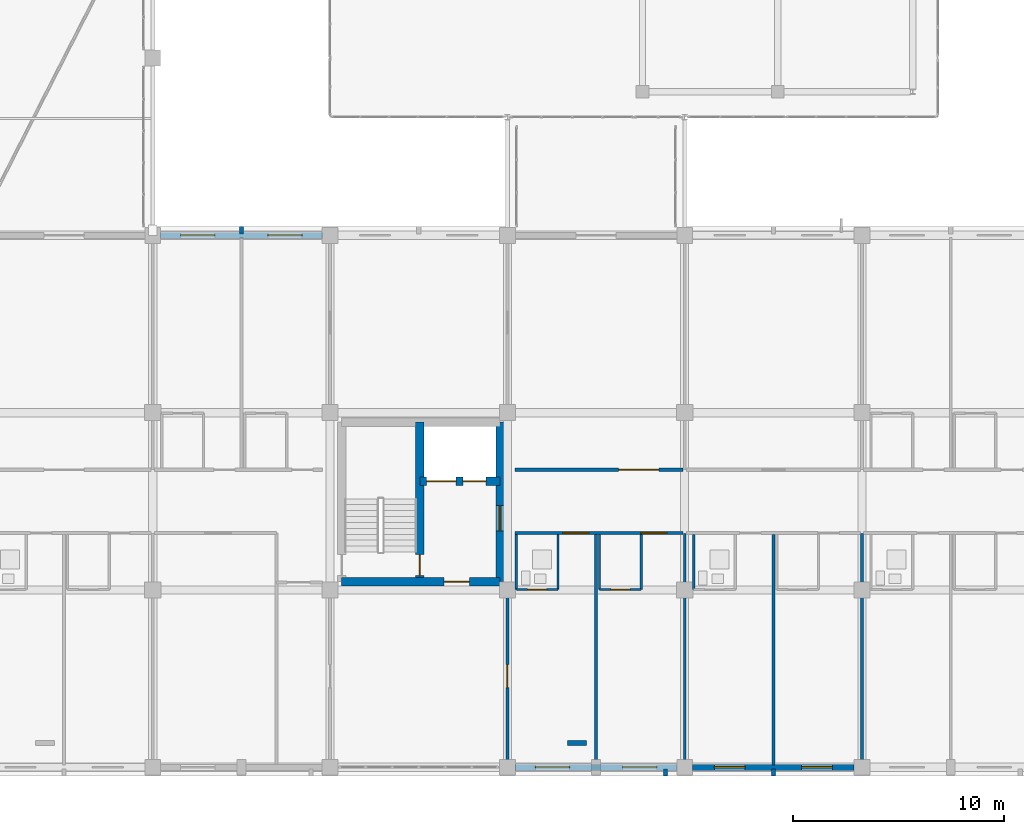
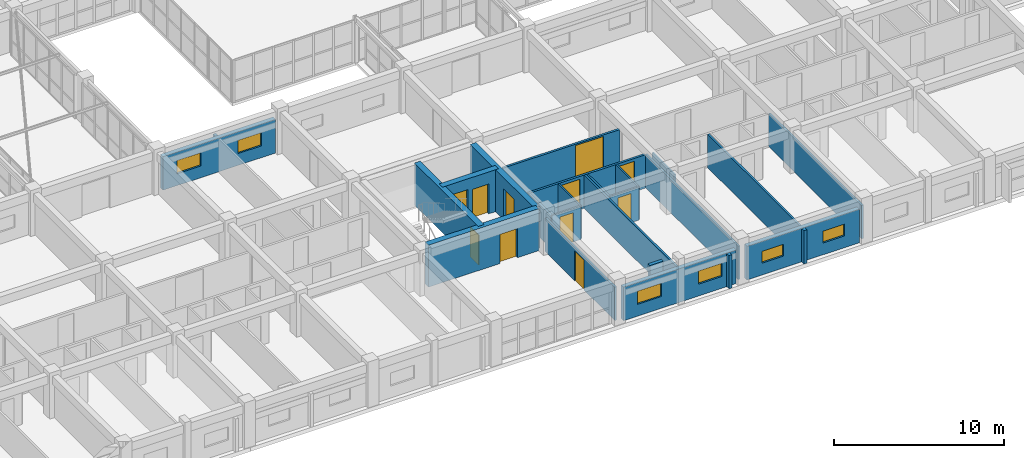
# One storey, part 169 of 200: 25 walls, 11 doors, 6 windows, 17 openings.
"""IFC4 building model written with IfcOpenShell, lengths in metres."""

from ifc_helpers import new_model, si_unit, direction, frame, frame_2d, origin, place, context, subcontext, project, spatial, rectangle, extrude, material, layer, layer_set, type_object, element, fill, save


model = new_model("IFC4")

# Units and contexts
model_context = context("Model", 3, precision=1e-05, world=origin(), true_north=direction((0.0, 1.0)))
body_context = subcontext(model_context, "Body", "Model", "MODEL_VIEW")
ifc_project = project(units=[si_unit("LENGTHUNIT", "METRE"), si_unit("AREAUNIT", "SQUARE_METRE"), si_unit("VOLUMEUNIT", "CUBIC_METRE"), si_unit("PLANEANGLEUNIT", "RADIAN"), si_unit("MASSUNIT", "GRAM", prefix="KILO")], contexts=[model_context])

# Site, building, storey
site_placement = place(None, origin())
site = spatial("IfcSite", under=ifc_project, at=site_placement, CompositionType="ELEMENT")
building_placement = place(site_placement, origin())
building = spatial("IfcBuilding", under=site, at=building_placement, Name="Trelvath General Hospital", CompositionType="ELEMENT")
storey_placement = place(building_placement, frame((0.0, 0.0, 4.800048828125)))
storey = spatial("IfcBuildingStorey", under=building, at=storey_placement, Name="L01", CompositionType="ELEMENT", Elevation=4.800048828125)

# Walls
ifc_material_1 = material(Name="Precast concrete C40/50", Category="concrete")
ifc_layer_1 = layer(ifc_material_1, 0.199951171875)
ifc_layer_set_1 = layer_set([ifc_layer_1], Name="Precast concrete C40/50")
wall_type_1 = type_object("IfcWallType", Name="BriseSoleilRib 200", PredefinedType="ELEMENTEDWALL", material=ifc_layer_set_1)
for number, where, z_axis, x_axis, name in (
    (1, (88.199951171875, 25.27490234375, 0.0), (0.0, 0.0, 1.0), (0.0, 1.0, 0.0), "Precast Concrete Brise-Soleil Rib Fin L01-112"),
    (2, (108.293701171875, -0.074951171875, 0.0), (0.0, 0.0, 1.0), (0.0, -1.0, 0.0), "Precast Concrete Brise-Soleil Rib Fin L01-117"),
    (3, (113.39990234375, -0.074951171875, 0.0), (0.0, 0.0, 1.0), (0.0, -1.0, 0.0), "Precast Concrete Brise-Soleil Rib Fin L01-119"),
):
    element("IfcWall", number, at=place(storey_placement, frame(where, z_axis=z_axis, x_axis=x_axis)), inside=storey, type_object=wall_type_1, Name=name, PredefinedType="ELEMENTEDWALL", context=body_context, shape_type="SweptSolid", body=[
        extrude(rectangle(XDim=0.340087890625, YDim=0.199951171875, at=frame_2d((0.169921875, 0.0))), origin(), (0.0, 0.0, 1.0), 2.39990234375),
    ])

# Wall, openings, doors
ifc_material_2 = material(Name="Gypsum acoustic steel-stud partition", Category="steel")
ifc_layer_2 = layer(ifc_material_2, 0.14990234375)
ifc_layer_set_2 = layer_set([ifc_layer_2], Name="Gypsum acoustic steel-stud partition")
wall_type_2 = type_object("IfcWallType", Name="ClinicalPartition 150", PredefinedType="PARTITIONING", material=ifc_layer_set_2)
wall_1_placement = place(storey_placement, frame((101.159912109375, 11.10009765625, 0.0), z_axis=(0.0, 0.0, 1.0), x_axis=(1.0, 0.0, 0.0)))
wall_1 = element("IfcWall", 4, at=wall_1_placement, inside=storey, type_object=wall_type_2, Name="Corridor Partition L01-457", PredefinedType="PARTITIONING", context=body_context, shape_type="SweptSolid", body=[
    extrude(rectangle(XDim=7.960205078125, YDim=0.14990234375, at=frame_2d((3.97998046875, 0.0))), origin(), (0.0, 0.0, 1.0), 2.39990234375),
])
opening_1_placement = place(wall_1_placement, frame((2.25, 0.0, 0.0)))
opening_1 = element("IfcOpeningElement", 5, at=opening_1_placement, cuts=wall_1, Name="Opening D-1-0514", PredefinedType="OPENING", context=body_context, shape_type="SweptSolid", body=[
    extrude(rectangle(XDim=1.25, YDim=2.199951171875, at=frame_2d((0.625, 1.10009765625))), frame((0.0, 0.0849609375, 0.0), z_axis=(0.0, -1.0, 0.0), x_axis=(1.0, 0.0, 0.0)), (0.0, 0.0, 1.0), 0.169921875),
])
opening_2_placement = place(wall_1_placement, frame((5.949951171875, 0.0, 0.0)))
opening_2 = element("IfcOpeningElement", 6, at=opening_2_placement, cuts=wall_1, Name="Opening D-1-0515", PredefinedType="OPENING", context=body_context, shape_type="SweptSolid", body=[
    extrude(rectangle(XDim=1.25, YDim=2.199951171875, at=frame_2d((0.625, 1.10009765625))), frame((0.0, 0.0849609375, 0.0), z_axis=(0.0, -1.0, 0.0), x_axis=(1.0, 0.0, 0.0)), (0.0, 0.0, 1.0), 0.169921875),
])
ifc_material_3 = material(Name="Acoustic hospital timber leaf", Category="wood")
door_type_1 = type_object("IfcDoorType", Name="Door Treatment 1250x2200", OperationType="NOTDEFINED", PredefinedType="DOOR", material=ifc_material_3)
door_1_placement = place(opening_1_placement, origin())
door_1 = element("IfcDoor", 7, at=door_1_placement, inside=storey, type_object=door_type_1, Name="Patient Room Door L01-514", OperationType="SINGLE_SWING_LEFT", OverallHeight=2.199951171875, OverallWidth=1.25, PredefinedType="DOOR", context=body_context, shape_type="SweptSolid", body=[
    extrude(rectangle(XDim=1.25, YDim=2.199951171875, at=frame_2d((0.625, 1.10009765625))), frame((0.0, 0.02490234375, 0.0), z_axis=(0.0, -1.0, 0.0), x_axis=(1.0, 0.0, 0.0)), (0.0, 0.0, 1.0), 0.050048828125),
])
fill(opening_1, door_1)
door_2_placement = place(opening_2_placement, origin())
door_2 = element("IfcDoor", 8, at=door_2_placement, inside=storey, type_object=door_type_1, Name="Patient Room Door L01-515", OperationType="SINGLE_SWING_RIGHT", OverallHeight=2.199951171875, OverallWidth=1.25, PredefinedType="DOOR", context=body_context, shape_type="SweptSolid", body=[
    extrude(rectangle(XDim=1.25, YDim=2.199951171875, at=frame_2d((0.625, 1.10009765625))), frame((0.0, 0.02490234375, 0.0), z_axis=(0.0, -1.0, 0.0), x_axis=(1.0, 0.0, 0.0)), (0.0, 0.0, 1.0), 0.050048828125),
])
fill(opening_2, door_2)

# Wall, opening, door
wall_2_placement = place(storey_placement, frame((109.1201171875, 14.10009765625, 0.0), z_axis=(0.0, 0.0, 1.0), x_axis=(-1.0, 0.0, 0.0)))
wall_2 = element("IfcWall", 9, at=wall_2_placement, inside=storey, type_object=wall_type_2, Name="Corridor Partition N L01-466", PredefinedType="PARTITIONING", context=body_context, shape_type="SweptSolid", body=[
    extrude(rectangle(XDim=7.960205078125, YDim=0.14990234375, at=frame_2d((3.97998046875, 0.0))), origin(), (0.0, 0.0, 1.0), 2.39990234375),
])
opening_3_placement = place(wall_2_placement, frame((1.14990234375, 0.0, 0.0)))
opening_3 = element("IfcOpeningElement", 10, at=opening_3_placement, cuts=wall_2, Name="Opening D-1-0518", PredefinedType="OPENING", context=body_context, shape_type="SweptSolid", body=[
    extrude(rectangle(XDim=1.89990234375, YDim=2.300048828125, at=frame_2d((0.949951171875, 1.14990234375))), frame((0.0, 0.0849609375, 0.0), z_axis=(0.0, -1.0, 0.0), x_axis=(1.0, 0.0, 0.0)), (0.0, 0.0, 1.0), 0.169921875),
])
ifc_material_4 = material(Name="Thermally broken glazed aluminium pair", Category="aluminium")
door_type_2 = type_object("IfcDoorType", Name="Door BridgeEntry 1900x2400", OperationType="DOUBLE_SWING_LEFT", PredefinedType="DOOR", material=ifc_material_4)
door_3_placement = place(opening_3_placement, origin())
door_3 = element("IfcDoor", 11, at=door_3_placement, inside=storey, type_object=door_type_2, Name="Bridge Lounge Corridor Door N L01-518", OperationType="DOUBLE_SWING_LEFT", OverallHeight=2.300048828125, OverallWidth=1.89990234375, PredefinedType="DOOR", context=body_context, shape_type="SweptSolid", body=[
    extrude(rectangle(XDim=1.89990234375, YDim=2.300048828125, at=frame_2d((0.949951171875, 1.14990234375))), frame((0.0, 0.02490234375, 0.0), z_axis=(0.0, -1.0, 0.0), x_axis=(1.0, 0.0, 0.0)), (0.0, 0.0, 1.0), 0.050048828125),
])
fill(opening_3, door_3)

ifc_material_5 = material(Name="Concrete C40/50", Category="concrete")
ifc_layer_3 = layer(ifc_material_5, 0.39990234375)
ifc_layer_set_3 = layer_set([ifc_layer_3], Name="Concrete C40/50")
wall_type_3 = type_object("IfcWallType", Name="CoreShearWall 400", PredefinedType="SHEAR", material=ifc_layer_set_3)
wall_3_placement = place(storey_placement, frame((92.949951171875, 8.800048828125, 0.0), z_axis=(0.0, 0.0, 1.0), x_axis=(1.0, 0.0, 0.0)))
wall_3 = element("IfcWall", 12, at=wall_3_placement, inside=storey, type_object=wall_type_3, Name="Core Shear Wall C5 S L01", PredefinedType="SHEAR", context=body_context, shape_type="SweptSolid", body=[
    extrude(rectangle(XDim=7.5, YDim=0.39990234375, at=frame_2d((3.75, 0.0))), origin(), (0.0, 0.0, 1.0), 3.02001953125),
])
opening_4_placement = place(wall_3_placement, frame((4.85009765625, 0.0, 0.0)))
opening_4 = element("IfcOpeningElement", 13, at=opening_4_placement, cuts=wall_3, Name="Opening FD-LS51", PredefinedType="OPENING", context=body_context, shape_type="SweptSolid", body=[
    extrude(rectangle(XDim=1.199951171875, YDim=2.10009765625, at=frame_2d((0.60009765625, 1.050048828125))), frame((0.0, 0.2099609375, 0.0), z_axis=(0.0, -1.0, 0.0), x_axis=(1.0, 0.0, 0.0)), (0.0, 0.0, 1.0), 0.419921875),
])
ifc_material_6 = material(Name="Fire-rated steel door", Category="steel")
door_type_3 = type_object("IfcDoorType", Name="Door FireLobby 1200x2100", OperationType="NOTDEFINED", PredefinedType="DOOR", material=ifc_material_6)
door_4_placement = place(opening_4_placement, origin())
door_4 = element("IfcDoor", 14, at=door_4_placement, inside=storey, type_object=door_type_3, Name="Fire Lobby South Door C5 L01", OperationType="SINGLE_SWING_LEFT", OverallHeight=2.10009765625, OverallWidth=1.199951171875, PredefinedType="DOOR", context=body_context, shape_type="SweptSolid", body=[
    extrude(rectangle(XDim=1.199951171875, YDim=2.10009765625, at=frame_2d((0.60009765625, 1.050048828125))), frame((0.0, 0.02490234375, 0.0), z_axis=(0.0, -1.0, 0.0), x_axis=(1.0, 0.0, 0.0)), (0.0, 0.0, 1.0), 0.050048828125),
])
fill(opening_4, door_4)

wall_4_placement = place(storey_placement, frame((100.449951171875, 8.800048828125, 0.0), z_axis=(0.0, 0.0, 1.0), x_axis=(0.0, 1.0, 0.0)))
wall_4 = element("IfcWall", 15, at=wall_4_placement, inside=storey, type_object=wall_type_3, Name="Core Shear Wall C5 E L01", PredefinedType="SHEAR", context=body_context, shape_type="SweptSolid", body=[
    extrude(rectangle(XDim=7.550048828125, YDim=0.39990234375, at=frame_2d((3.77490234375, 0.0))), origin(), (0.0, 0.0, 1.0), 3.02001953125),
])
opening_5_placement = place(wall_4_placement, frame((2.39990234375, 0.0, 0.0)))
opening_5 = element("IfcOpeningElement", 16, at=opening_5_placement, cuts=wall_4, Name="Opening FD-LE51", PredefinedType="OPENING", context=body_context, shape_type="SweptSolid", body=[
    extrude(rectangle(XDim=1.199951171875, YDim=2.199951171875, at=frame_2d((0.60009765625, 1.10009765625))), frame((0.0, 0.2099609375, 0.0), z_axis=(0.0, -1.0, 0.0), x_axis=(1.0, 0.0, 0.0)), (0.0, 0.0, 1.0), 0.419921875),
])
ifc_material_7 = material(Name="Fire-rated steel door", Category="steel")
door_type_4 = type_object("IfcDoorType", Name="Door FireLobby 1200x2200", OperationType="NOTDEFINED", PredefinedType="DOOR", material=ifc_material_7)
door_5_placement = place(opening_5_placement, origin())
door_5 = element("IfcDoor", 17, at=door_5_placement, inside=storey, type_object=door_type_4, Name="Fire Lobby East Corridor Door C5 L01", OperationType="SINGLE_SWING_RIGHT", OverallHeight=2.199951171875, OverallWidth=1.199951171875, PredefinedType="DOOR", context=body_context, shape_type="SweptSolid", body=[
    extrude(rectangle(XDim=1.199951171875, YDim=2.199951171875, at=frame_2d((0.60009765625, 1.10009765625))), frame((0.0, 0.02490234375, 0.0), z_axis=(0.0, -1.0, 0.0), x_axis=(1.0, 0.0, 0.0)), (0.0, 0.0, 1.0), 0.050048828125),
])
fill(opening_5, door_5)

wall_5_placement = place(storey_placement, frame((96.64990234375, 8.800048828125, 0.0), z_axis=(0.0, 0.0, 1.0), x_axis=(0.0, 1.0, 0.0)))
wall_5 = element("IfcWall", 18, at=wall_5_placement, inside=storey, type_object=wall_type_3, Name="Core Shear Wall C5 SPINE L01", PredefinedType="SHEAR", context=body_context, shape_type="SweptSolid", body=[
    extrude(rectangle(XDim=7.550048828125, YDim=0.39990234375, at=frame_2d((3.77490234375, 0.0))), origin(), (0.0, 0.0, 1.0), 3.02001953125),
])
opening_6_placement = place(wall_5_placement, frame((0.280029296875, 0.0, 0.0)))
opening_6 = element("IfcOpeningElement", 19, at=opening_6_placement, cuts=wall_5, Name="Opening FD-S51", PredefinedType="OPENING", context=body_context, shape_type="SweptSolid", body=[
    extrude(rectangle(XDim=1.0, YDim=2.14990234375, at=frame_2d((0.5, 1.074951171875))), frame((0.0, 0.2099609375, 0.0), z_axis=(0.0, -1.0, 0.0), x_axis=(1.0, 0.0, 0.0)), (0.0, 0.0, 1.0), 0.419921875),
])
ifc_material_8 = material(Name="Fire-rated steel door", Category="steel")
door_type_5 = type_object("IfcDoorType", Name="Door FireStair 1100x2150", OperationType="NOTDEFINED", PredefinedType="DOOR", material=ifc_material_8)
door_6_placement = place(opening_6_placement, origin())
door_6 = element("IfcDoor", 20, at=door_6_placement, inside=storey, type_object=door_type_5, Name="Exit Stair Door ST5 L01", OperationType="SINGLE_SWING_LEFT", OverallHeight=2.14990234375, OverallWidth=1.0, PredefinedType="DOOR", context=body_context, shape_type="SweptSolid", body=[
    extrude(rectangle(XDim=1.0, YDim=2.14990234375, at=frame_2d((0.5, 1.074951171875))), frame((0.0, 0.02490234375, 0.0), z_axis=(0.0, -1.0, 0.0), x_axis=(1.0, 0.0, 0.0)), (0.0, 0.0, 1.0), 0.050048828125),
])
fill(opening_6, door_6)

# Wall, openings, doors
wall_6_placement = place(storey_placement, frame((96.64990234375, 13.550048828125, 0.0), z_axis=(0.0, 0.0, 1.0), x_axis=(1.0, 0.0, 0.0)))
wall_6 = element("IfcWall", 21, at=wall_6_placement, inside=storey, type_object=wall_type_3, Name="Core Shear Wall C5 SHAFT L01", PredefinedType="SHEAR", context=body_context, shape_type="SweptSolid", body=[
    extrude(rectangle(XDim=3.800048828125, YDim=0.39990234375, at=frame_2d((1.89990234375, 0.0))), origin(), (0.0, 0.0, 1.0), 3.02001953125),
])
opening_7_placement = place(wall_6_placement, frame((0.320068359375, 0.0, 0.0)))
opening_7 = element("IfcOpeningElement", 22, at=opening_7_placement, cuts=wall_6, Name="Opening LD-BD4-1", PredefinedType="OPENING", context=body_context, shape_type="SweptSolid", body=[
    extrude(rectangle(XDim=1.39990234375, YDim=2.25, at=frame_2d((0.699951171875, 1.125))), frame((0.0, 0.2099609375, 0.0), z_axis=(0.0, -1.0, 0.0), x_axis=(1.0, 0.0, 0.0)), (0.0, 0.0, 1.0), 0.419921875),
])
opening_8_placement = place(wall_6_placement, frame((2.0400390625, 0.0, 0.0)))
opening_8 = element("IfcOpeningElement", 23, at=opening_8_placement, cuts=wall_6, Name="Opening LD-PA2-1", PredefinedType="OPENING", context=body_context, shape_type="SweptSolid", body=[
    extrude(rectangle(XDim=1.10009765625, YDim=2.14990234375, at=frame_2d((0.550048828125, 1.074951171875))), frame((0.0, 0.2099609375, 0.0), z_axis=(0.0, -1.0, 0.0), x_axis=(1.0, 0.0, 0.0)), (0.0, 0.0, 1.0), 0.419921875),
])
ifc_material_9 = material(Name="Stainless steel stretcher lift landing door", Category="steel")
door_type_6 = type_object("IfcDoorType", Name="Door LiftBed 1400x2250", OperationType="SLIDING_TO_LEFT", PredefinedType="DOOR", material=ifc_material_9)
door_7_placement = place(opening_7_placement, origin())
door_7 = element("IfcDoor", 24, at=door_7_placement, inside=storey, type_object=door_type_6, Name="Lift Landing Sliding Door LF-BD4 L01", OperationType="SLIDING_TO_LEFT", OverallHeight=2.25, OverallWidth=1.39990234375, PredefinedType="DOOR", context=body_context, shape_type="SweptSolid", body=[
    extrude(rectangle(XDim=1.39990234375, YDim=2.25, at=frame_2d((0.699951171875, 1.125))), frame((0.0, 0.02490234375, 0.0), z_axis=(0.0, -1.0, 0.0), x_axis=(1.0, 0.0, 0.0)), (0.0, 0.0, 1.0), 0.050048828125),
])
fill(opening_7, door_7)
ifc_material_10 = material(Name="Stainless steel lift landing sliding door", Category="steel")
door_type_7 = type_object("IfcDoorType", Name="Door LiftLanding 1100x2150", OperationType="SLIDING_TO_LEFT", PredefinedType="DOOR", material=ifc_material_10)
door_8_placement = place(opening_8_placement, origin())
door_8 = element("IfcDoor", 25, at=door_8_placement, inside=storey, type_object=door_type_7, Name="Lift Landing Sliding Door LF-PA2 L01", OperationType="SLIDING_TO_LEFT", OverallHeight=2.14990234375, OverallWidth=1.10009765625, PredefinedType="DOOR", context=body_context, shape_type="SweptSolid", body=[
    extrude(rectangle(XDim=1.10009765625, YDim=2.14990234375, at=frame_2d((0.550048828125, 1.074951171875))), frame((0.0, 0.02490234375, 0.0), z_axis=(0.0, -1.0, 0.0), x_axis=(1.0, 0.0, 0.0)), (0.0, 0.0, 1.0), 0.050048828125),
])
fill(opening_8, door_8)

# Walls
ifc_material_11 = material(Name="Moisture-resistant tile partition")
ifc_layer_4 = layer(ifc_material_11, 0.110107421875)
ifc_layer_set_4 = layer_set([ifc_layer_4], Name="Moisture-resistant tile partition")
wall_type_4 = type_object("IfcWallType", Name="EnSuiteWetWall 110", PredefinedType="PARTITIONING", material=ifc_layer_set_4)
for number, where, z_axis, x_axis, name in (
    (26, (101.219970703125, 8.419921875, 0.0), (0.0, 0.0, 1.0), (0.0, 1.0, 0.0), "En-Suite W Wall L01-459"),
    (27, (103.199951171875, 8.419921875, 0.0), (0.0, 0.0, 1.0), (0.0, 1.0, 0.0), "En-Suite E Wall L01-460"),
):
    element("IfcWall", number, at=place(storey_placement, frame(where, z_axis=z_axis, x_axis=x_axis)), inside=storey, type_object=wall_type_4, Name=name, PredefinedType="PARTITIONING", context=body_context, shape_type="SweptSolid", body=[
        extrude(rectangle(XDim=2.610107421875, YDim=0.110107421875, at=frame_2d((1.30517578125, 0.0))), origin(), (0.0, 0.0, 1.0), 2.39990234375),
    ])

# Wall, opening, door
wall_7_placement = place(storey_placement, frame((101.219970703125, 8.419921875, 0.0), z_axis=(0.0, 0.0, 1.0), x_axis=(1.0, 0.0, 0.0)))
wall_7 = element("IfcWall", 28, at=wall_7_placement, inside=storey, type_object=wall_type_4, Name="En-Suite Bathroom Partition L01-461", PredefinedType="PARTITIONING", context=body_context, shape_type="SweptSolid", body=[
    extrude(rectangle(XDim=1.97998046875, YDim=0.110107421875, at=frame_2d((0.989990234375, 0.0))), origin(), (0.0, 0.0, 1.0), 2.39990234375),
])
opening_9_placement = place(wall_7_placement, frame((0.5400390625, 0.0, 0.0)))
opening_9 = element("IfcOpeningElement", 29, at=opening_9_placement, cuts=wall_7, Name="Opening D-1-0516", PredefinedType="OPENING", context=body_context, shape_type="SweptSolid", body=[
    extrude(rectangle(XDim=0.89990234375, YDim=2.10009765625, at=frame_2d((0.449951171875, 1.050048828125))), frame((0.0, 0.06494140625, 0.0), z_axis=(0.0, -1.0, 0.0), x_axis=(1.0, 0.0, 0.0)), (0.0, 0.0, 1.0), 0.130126953125),
])
ifc_material_12 = material(Name="Moisture-sealed timber leaf", Category="wood")
door_type_8 = type_object("IfcDoorType", Name="Door EnSuite 900x2100", OperationType="NOTDEFINED", PredefinedType="DOOR", material=ifc_material_12)
door_9_placement = place(opening_9_placement, origin())
door_9 = element("IfcDoor", 30, at=door_9_placement, inside=storey, type_object=door_type_8, Name="En-Suite Bathroom Door L01-516", OperationType="SINGLE_SWING_LEFT", OverallHeight=2.10009765625, OverallWidth=0.89990234375, PredefinedType="DOOR", context=body_context, shape_type="SweptSolid", body=[
    extrude(rectangle(XDim=0.89990234375, YDim=2.10009765625, at=frame_2d((0.449951171875, 1.050048828125))), frame((0.0, 0.02490234375, 0.0), z_axis=(0.0, -1.0, 0.0), x_axis=(1.0, 0.0, 0.0)), (0.0, 0.0, 1.0), 0.050048828125),
])
fill(opening_9, door_9)

# Walls
for number, where, z_axis, x_axis, name in (
    (31, (105.159912109375, 8.419921875, 0.0), (0.0, 0.0, 1.0), (0.0, 1.0, 0.0), "En-Suite W Wall L01-462"),
    (32, (107.139892578125, 8.419921875, 0.0), (0.0, 0.0, 1.0), (0.0, 1.0, 0.0), "En-Suite E Wall L01-463"),
):
    element("IfcWall", number, at=place(storey_placement, frame(where, z_axis=z_axis, x_axis=x_axis)), inside=storey, type_object=wall_type_4, Name=name, PredefinedType="PARTITIONING", context=body_context, shape_type="SweptSolid", body=[
        extrude(rectangle(XDim=2.610107421875, YDim=0.110107421875, at=frame_2d((1.30517578125, 0.0))), origin(), (0.0, 0.0, 1.0), 2.39990234375),
    ])

# Wall, opening, door
wall_8_placement = place(storey_placement, frame((105.159912109375, 8.419921875, 0.0), z_axis=(0.0, 0.0, 1.0), x_axis=(1.0, 0.0, 0.0)))
wall_8 = element("IfcWall", 33, at=wall_8_placement, inside=storey, type_object=wall_type_4, Name="En-Suite Bathroom Partition L01-464", PredefinedType="PARTITIONING", context=body_context, shape_type="SweptSolid", body=[
    extrude(rectangle(XDim=1.97998046875, YDim=0.110107421875, at=frame_2d((0.989990234375, 0.0))), origin(), (0.0, 0.0, 1.0), 2.39990234375),
])
opening_10_placement = place(wall_8_placement, frame((0.5400390625, 0.0, 0.0)))
opening_10 = element("IfcOpeningElement", 34, at=opening_10_placement, cuts=wall_8, Name="Opening D-1-0517", PredefinedType="OPENING", context=body_context, shape_type="SweptSolid", body=[
    extrude(rectangle(XDim=0.89990234375, YDim=2.10009765625, at=frame_2d((0.449951171875, 1.050048828125))), frame((0.0, 0.06494140625, 0.0), z_axis=(0.0, -1.0, 0.0), x_axis=(1.0, 0.0, 0.0)), (0.0, 0.0, 1.0), 0.130126953125),
])
door_10_placement = place(opening_10_placement, origin())
door_10 = element("IfcDoor", 35, at=door_10_placement, inside=storey, type_object=door_type_8, Name="En-Suite Bathroom Door L01-517", OperationType="SINGLE_SWING_RIGHT", OverallHeight=2.10009765625, OverallWidth=0.89990234375, PredefinedType="DOOR", context=body_context, shape_type="SweptSolid", body=[
    extrude(rectangle(XDim=0.89990234375, YDim=2.10009765625, at=frame_2d((0.449951171875, 1.050048828125))), frame((0.0, 0.02490234375, 0.0), z_axis=(0.0, -1.0, 0.0), x_axis=(1.0, 0.0, 0.0)), (0.0, 0.0, 1.0), 0.050048828125),
])
fill(opening_10, door_10)

# Wall
wall_9_placement = place(storey_placement, frame((109.6201171875, 8.419921875, 0.0), z_axis=(0.0, 0.0, 1.0), x_axis=(0.0, 1.0, 0.0)))
element("IfcWall", 36, at=wall_9_placement, inside=storey, type_object=wall_type_4, Name="En-Suite W Wall L01-471", PredefinedType="PARTITIONING", context=body_context, shape_type="SweptSolid", body=[
    extrude(rectangle(XDim=2.610107421875, YDim=0.110107421875, at=frame_2d((1.30517578125, 0.0))), origin(), (0.0, 0.0, 1.0), 2.39990234375),
])

# Wall, openings, windows
ifc_material_13 = material(Name="Concrete C35/45", Category="concrete")
ifc_layer_5 = layer(ifc_material_13, 0.2900390625)
ifc_layer_set_5 = layer_set([ifc_layer_5], Name="Concrete C35/45")
wall_type_5 = type_object("IfcWallType", Name="ExtBushHammeredWall 290", PredefinedType="SOLIDWALL", material=ifc_layer_set_5)
wall_10_placement = place(storey_placement, frame((84.3701171875, 25.199951171875, 0.0), z_axis=(0.0, 0.0, 1.0), x_axis=(1.0, 0.0, 0.0)))
wall_10 = element("IfcWall", 37, at=wall_10_placement, inside=storey, type_object=wall_type_5, Name="Exterior Concrete Wall L01-164", PredefinedType="SOLIDWALL", context=body_context, shape_type="SweptSolid", body=[
    extrude(rectangle(XDim=7.659912109375, YDim=0.2900390625, at=frame_2d((3.830078125, 0.0))), origin(), (0.0, 0.0, 1.0), 2.419921875),
])
opening_11_placement = place(wall_10_placement, frame((0.951904296875, 0.0, 0.85009765625)))
opening_11 = element("IfcOpeningElement", 38, at=opening_11_placement, cuts=wall_10, Name="Opening WN-1-239", PredefinedType="OPENING", context=body_context, shape_type="SweptSolid", body=[
    extrude(rectangle(XDim=1.6201171875, YDim=0.949951171875, at=frame_2d((0.81005859375, 0.47509765625))), frame((0.0, 0.155029296875, 0.0), z_axis=(0.0, -1.0, 0.0), x_axis=(1.0, 0.0, 0.0)), (0.0, 0.0, 1.0), 0.31005859375),
])
opening_12_placement = place(wall_10_placement, frame((5.088134765625, 0.0, 0.85009765625)))
opening_12 = element("IfcOpeningElement", 39, at=opening_12_placement, cuts=wall_10, Name="Opening WN-1-240", PredefinedType="OPENING", context=body_context, shape_type="SweptSolid", body=[
    extrude(rectangle(XDim=1.6201171875, YDim=0.949951171875, at=frame_2d((0.81005859375, 0.47509765625))), frame((0.0, 0.155029296875, 0.0), z_axis=(0.0, -1.0, 0.0), x_axis=(1.0, 0.0, 0.0)), (0.0, 0.0, 1.0), 0.31005859375),
])
ifc_material_14 = material(Name="Low-E laminated glass", Category="glass")
window_type_1 = type_object("IfcWindowType", Name="Window EmergencyClere 1620x950", PartitioningType="DOUBLE_PANEL_VERTICAL", PredefinedType="WINDOW", material=ifc_material_14)
window_1_placement = place(opening_11_placement, origin())
window_1 = element("IfcWindow", 40, at=window_1_placement, inside=storey, type_object=window_type_1, Name="Solar Reveal Window L01-239", OverallHeight=0.949951171875, OverallWidth=1.6201171875, PartitioningType="SINGLE_PANEL", PredefinedType="WINDOW", context=body_context, shape_type="SweptSolid", body=[
    extrude(rectangle(XDim=1.6201171875, YDim=0.949951171875, at=frame_2d((0.81005859375, 0.47509765625))), frame((0.0, 0.030029296875, 0.0), z_axis=(0.0, -1.0, 0.0), x_axis=(1.0, 0.0, 0.0)), (0.0, 0.0, 1.0), 0.06005859375),
])
fill(opening_11, window_1)
window_2_placement = place(opening_12_placement, origin())
window_2 = element("IfcWindow", 41, at=window_2_placement, inside=storey, type_object=window_type_1, Name="Solar Reveal Window L01-240", OverallHeight=0.949951171875, OverallWidth=1.6201171875, PartitioningType="SINGLE_PANEL", PredefinedType="WINDOW", context=body_context, shape_type="SweptSolid", body=[
    extrude(rectangle(XDim=1.6201171875, YDim=0.949951171875, at=frame_2d((0.81005859375, 0.47509765625))), frame((0.0, 0.030029296875, 0.0), z_axis=(0.0, -1.0, 0.0), x_axis=(1.0, 0.0, 0.0)), (0.0, 0.0, 1.0), 0.06005859375),
])
fill(opening_12, window_2)

wall_11_placement = place(storey_placement, frame((108.830078125, 0.0, 0.0), z_axis=(0.0, 0.0, 1.0), x_axis=(-1.0, 0.0, 0.0)))
wall_11 = element("IfcWall", 42, at=wall_11_placement, inside=storey, type_object=wall_type_5, Name="Exterior Concrete Wall L01-172", PredefinedType="SOLIDWALL", context=body_context, shape_type="SweptSolid", body=[
    extrude(rectangle(XDim=7.66015625, YDim=0.2900390625, at=frame_2d((3.830078125, 0.0))), origin(), (0.0, 0.0, 1.0), 2.419921875),
])
opening_13_placement = place(wall_11_placement, frame((0.951904296875, 0.0, 0.85009765625)))
opening_13 = element("IfcOpeningElement", 43, at=opening_13_placement, cuts=wall_11, Name="Opening WN-1-249", PredefinedType="OPENING", context=body_context, shape_type="SweptSolid", body=[
    extrude(rectangle(XDim=1.6201171875, YDim=0.949951171875, at=frame_2d((0.81005859375, 0.47509765625))), frame((0.0, 0.155029296875, 0.0), z_axis=(0.0, -1.0, 0.0), x_axis=(1.0, 0.0, 0.0)), (0.0, 0.0, 1.0), 0.31005859375),
])
opening_14_placement = place(wall_11_placement, frame((5.088134765625, 0.0, 0.85009765625)))
opening_14 = element("IfcOpeningElement", 44, at=opening_14_placement, cuts=wall_11, Name="Opening WN-1-250", PredefinedType="OPENING", context=body_context, shape_type="SweptSolid", body=[
    extrude(rectangle(XDim=1.6201171875, YDim=0.949951171875, at=frame_2d((0.81005859375, 0.47509765625))), frame((0.0, 0.155029296875, 0.0), z_axis=(0.0, -1.0, 0.0), x_axis=(1.0, 0.0, 0.0)), (0.0, 0.0, 1.0), 0.31005859375),
])
window_3_placement = place(opening_13_placement, origin())
window_3 = element("IfcWindow", 45, at=window_3_placement, inside=storey, type_object=window_type_1, Name="Solar Reveal Window L01-249", OverallHeight=0.949951171875, OverallWidth=1.6201171875, PartitioningType="SINGLE_PANEL", PredefinedType="WINDOW", context=body_context, shape_type="SweptSolid", body=[
    extrude(rectangle(XDim=1.6201171875, YDim=0.949951171875, at=frame_2d((0.81005859375, 0.47509765625))), frame((0.0, 0.030029296875, 0.0), z_axis=(0.0, -1.0, 0.0), x_axis=(1.0, 0.0, 0.0)), (0.0, 0.0, 1.0), 0.06005859375),
])
fill(opening_13, window_3)
window_4_placement = place(opening_14_placement, origin())
window_4 = element("IfcWindow", 46, at=window_4_placement, inside=storey, type_object=window_type_1, Name="Solar Reveal Window L01-250", OverallHeight=0.949951171875, OverallWidth=1.6201171875, PartitioningType="SINGLE_PANEL", PredefinedType="WINDOW", context=body_context, shape_type="SweptSolid", body=[
    extrude(rectangle(XDim=1.6201171875, YDim=0.949951171875, at=frame_2d((0.81005859375, 0.47509765625))), frame((0.0, 0.030029296875, 0.0), z_axis=(0.0, -1.0, 0.0), x_axis=(1.0, 0.0, 0.0)), (0.0, 0.0, 1.0), 0.06005859375),
])
fill(opening_14, window_4)

wall_12_placement = place(storey_placement, frame((117.22998046875, 0.0, 0.0), z_axis=(0.0, 0.0, 1.0), x_axis=(-1.0, 0.0, 0.0)))
wall_12 = element("IfcWall", 47, at=wall_12_placement, inside=storey, type_object=wall_type_5, Name="Exterior Concrete Wall L01-176", PredefinedType="SOLIDWALL", context=body_context, shape_type="SweptSolid", body=[
    extrude(rectangle(XDim=7.659912109375, YDim=0.2900390625, at=frame_2d((3.830078125, 0.0))), origin(), (0.0, 0.0, 1.0), 2.419921875),
])
opening_15_placement = place(wall_12_placement, frame((1.03173828125, 0.0, 0.85009765625)))
opening_15 = element("IfcOpeningElement", 48, at=opening_15_placement, cuts=wall_12, Name="Opening WN-1-253", PredefinedType="OPENING", context=body_context, shape_type="SweptSolid", body=[
    extrude(rectangle(XDim=1.4599609375, YDim=0.85009765625, at=frame_2d((0.72998046875, 0.425048828125))), frame((0.0, 0.155029296875, 0.0), z_axis=(0.0, -1.0, 0.0), x_axis=(1.0, 0.0, 0.0)), (0.0, 0.0, 1.0), 0.31005859375),
])
opening_16_placement = place(wall_12_placement, frame((5.168212890625, 0.0, 0.85009765625)))
opening_16 = element("IfcOpeningElement", 49, at=opening_16_placement, cuts=wall_12, Name="Opening WN-1-254", PredefinedType="OPENING", context=body_context, shape_type="SweptSolid", body=[
    extrude(rectangle(XDim=1.4599609375, YDim=0.85009765625, at=frame_2d((0.72998046875, 0.425048828125))), frame((0.0, 0.155029296875, 0.0), z_axis=(0.0, -1.0, 0.0), x_axis=(1.0, 0.0, 0.0)), (0.0, 0.0, 1.0), 0.31005859375),
])
ifc_material_15 = material(Name="Low-E laminated glass", Category="glass")
window_type_2 = type_object("IfcWindowType", Name="Window ImagingClere 1460x850", PartitioningType="DOUBLE_PANEL_VERTICAL", PredefinedType="WINDOW", material=ifc_material_15)
window_5_placement = place(opening_15_placement, origin())
window_5 = element("IfcWindow", 50, at=window_5_placement, inside=storey, type_object=window_type_2, Name="Solar Reveal Window L01-253", OverallHeight=0.85009765625, OverallWidth=1.4599609375, PartitioningType="SINGLE_PANEL", PredefinedType="WINDOW", context=body_context, shape_type="SweptSolid", body=[
    extrude(rectangle(XDim=1.4599609375, YDim=0.85009765625, at=frame_2d((0.72998046875, 0.425048828125))), frame((0.0, 0.030029296875, 0.0), z_axis=(0.0, -1.0, 0.0), x_axis=(1.0, 0.0, 0.0)), (0.0, 0.0, 1.0), 0.06005859375),
])
fill(opening_15, window_5)
window_6_placement = place(opening_16_placement, origin())
window_6 = element("IfcWindow", 51, at=window_6_placement, inside=storey, type_object=window_type_2, Name="Solar Reveal Window L01-254", OverallHeight=0.85009765625, OverallWidth=1.4599609375, PartitioningType="SINGLE_PANEL", PredefinedType="WINDOW", context=body_context, shape_type="SweptSolid", body=[
    extrude(rectangle(XDim=1.4599609375, YDim=0.85009765625, at=frame_2d((0.72998046875, 0.425048828125))), frame((0.0, 0.030029296875, 0.0), z_axis=(0.0, -1.0, 0.0), x_axis=(1.0, 0.0, 0.0)), (0.0, 0.0, 1.0), 0.06005859375),
])
fill(opening_16, window_6)

# Wall
ifc_material_16 = material(Name="Masonry service chase blockwork", Category="masonry")
ifc_layer_6 = layer(ifc_material_16, 0.239990234375)
ifc_layer_set_6 = layer_set([ifc_layer_6], Name="Masonry service chase blockwork")
wall_type_6 = type_object("IfcWallType", Name="PlumbingChaseWall 240", PredefinedType="PLUMBINGWALL", material=ifc_layer_set_6)
wall_13_placement = place(storey_placement, frame((103.64990234375, 1.14990234375, 0.0), z_axis=(0.0, 0.0, 1.0), x_axis=(1.0, 0.0, 0.0)))
element("IfcWall", 52, at=wall_13_placement, inside=storey, type_object=wall_type_6, Name="Medical Gas Plumbing Chase L01-465", PredefinedType="PLUMBINGWALL", context=body_context, shape_type="SweptSolid", body=[
    extrude(rectangle(XDim=0.900146484375, YDim=0.239990234375, at=frame_2d((0.4501953125, 0.0))), origin(), (0.0, 0.0, 1.0), 2.39990234375),
])

# Wall, opening, door
ifc_material_17 = material(Name="Gypsum acoustic steel-stud partition", Category="steel")
ifc_layer_7 = layer(ifc_material_17, 0.1298828125)
ifc_layer_set_7 = layer_set([ifc_layer_7], Name="Gypsum acoustic steel-stud partition")
wall_type_7 = type_object("IfcWallType", Name="WardPartition 130", PredefinedType="PARTITIONING", material=ifc_layer_set_7)
wall_14_placement = place(storey_placement, frame((100.800048828125, 0.139892578125, 0.0), z_axis=(0.0, 0.0, 1.0), x_axis=(0.0, 1.0, 0.0)))
wall_14 = element("IfcWall", 53, at=wall_14_placement, inside=storey, type_object=wall_type_7, Name="Inter-Bay Ward Partition S L01-455", PredefinedType="PARTITIONING", context=body_context, shape_type="SweptSolid", body=[
    extrude(rectangle(XDim=8.210205078125, YDim=0.1298828125, at=frame_2d((4.10498046875, 0.0))), origin(), (0.0, 0.0, 1.0), 2.39990234375),
])
opening_17_placement = place(wall_14_placement, frame((3.639892578125, 0.0, 0.0)))
opening_17 = element("IfcOpeningElement", 54, at=opening_17_placement, cuts=wall_14, Name="Opening D-1-0512", PredefinedType="OPENING", context=body_context, shape_type="SweptSolid", body=[
    extrude(rectangle(XDim=1.080078125, YDim=2.14990234375, at=frame_2d((0.5400390625, 1.074951171875))), frame((0.0, 0.074951171875, 0.0), z_axis=(0.0, -1.0, 0.0), x_axis=(1.0, 0.0, 0.0)), (0.0, 0.0, 1.0), 0.14990234375),
])
ifc_material_18 = material(Name="Acoustic hospital timber leaf", Category="wood")
door_type_9 = type_object("IfcDoorType", Name="Door CleanSupply 1080x2150", OperationType="NOTDEFINED", PredefinedType="DOOR", material=ifc_material_18)
door_11_placement = place(opening_17_placement, origin())
door_11 = element("IfcDoor", 55, at=door_11_placement, inside=storey, type_object=door_type_9, Name="Clean Supply Connecting Door L01-512", OperationType="SINGLE_SWING_LEFT", OverallHeight=2.14990234375, OverallWidth=1.080078125, PredefinedType="DOOR", context=body_context, shape_type="SweptSolid", body=[
    extrude(rectangle(XDim=1.080078125, YDim=2.14990234375, at=frame_2d((0.5400390625, 1.074951171875))), frame((0.0, 0.02490234375, 0.0), z_axis=(0.0, -1.0, 0.0), x_axis=(1.0, 0.0, 0.0)), (0.0, 0.0, 1.0), 0.050048828125),
])
fill(opening_17, door_11)

# Walls
wall_15_placement = place(storey_placement, frame((105.0, 0.10009765625, 0.0), z_axis=(0.0, 0.0, 1.0), x_axis=(0.0, 1.0, 0.0)))
element("IfcWall", 56, at=wall_15_placement, inside=storey, type_object=wall_type_7, Name="Room Dividing Partition S L01-458", PredefinedType="PARTITIONING", context=body_context, shape_type="SweptSolid", body=[
    extrude(rectangle(XDim=10.929931640625, YDim=0.1298828125, at=frame_2d((5.46484375, 0.0))), origin(), (0.0, 0.0, 1.0), 2.39990234375),
])
wall_16_placement = place(storey_placement, frame((109.199951171875, 0.139892578125, 0.0), z_axis=(0.0, 0.0, 1.0), x_axis=(0.0, 1.0, 0.0)))
element("IfcWall", 57, at=wall_16_placement, inside=storey, type_object=wall_type_7, Name="Inter-Bay Ward Partition S L01-467", PredefinedType="PARTITIONING", context=body_context, shape_type="SweptSolid", body=[
    extrude(rectangle(XDim=10.940185546875, YDim=0.1298828125, at=frame_2d((5.47021484375, 0.0))), origin(), (0.0, 0.0, 1.0), 2.39990234375),
])
wall_17_placement = place(storey_placement, frame((113.39990234375, 0.10009765625, 0.0), z_axis=(0.0, 0.0, 1.0), x_axis=(0.0, 1.0, 0.0)))
element("IfcWall", 58, at=wall_17_placement, inside=storey, type_object=wall_type_7, Name="Room Dividing Partition S L01-470", PredefinedType="PARTITIONING", context=body_context, shape_type="SweptSolid", body=[
    extrude(rectangle(XDim=10.929931640625, YDim=0.1298828125, at=frame_2d((5.46484375, 0.0))), origin(), (0.0, 0.0, 1.0), 2.39990234375),
])
wall_18_placement = place(storey_placement, frame((117.60009765625, 0.139892578125, 0.0), z_axis=(0.0, 0.0, 1.0), x_axis=(0.0, 1.0, 0.0)))
element("IfcWall", 59, at=wall_18_placement, inside=storey, type_object=wall_type_7, Name="Inter-Bay Ward Partition S L01-478", PredefinedType="PARTITIONING", context=body_context, shape_type="SweptSolid", body=[
    extrude(rectangle(XDim=10.940185546875, YDim=0.1298828125, at=frame_2d((5.47021484375, 0.0))), origin(), (0.0, 0.0, 1.0), 2.39990234375),
])

save(model, "model.ifc")
